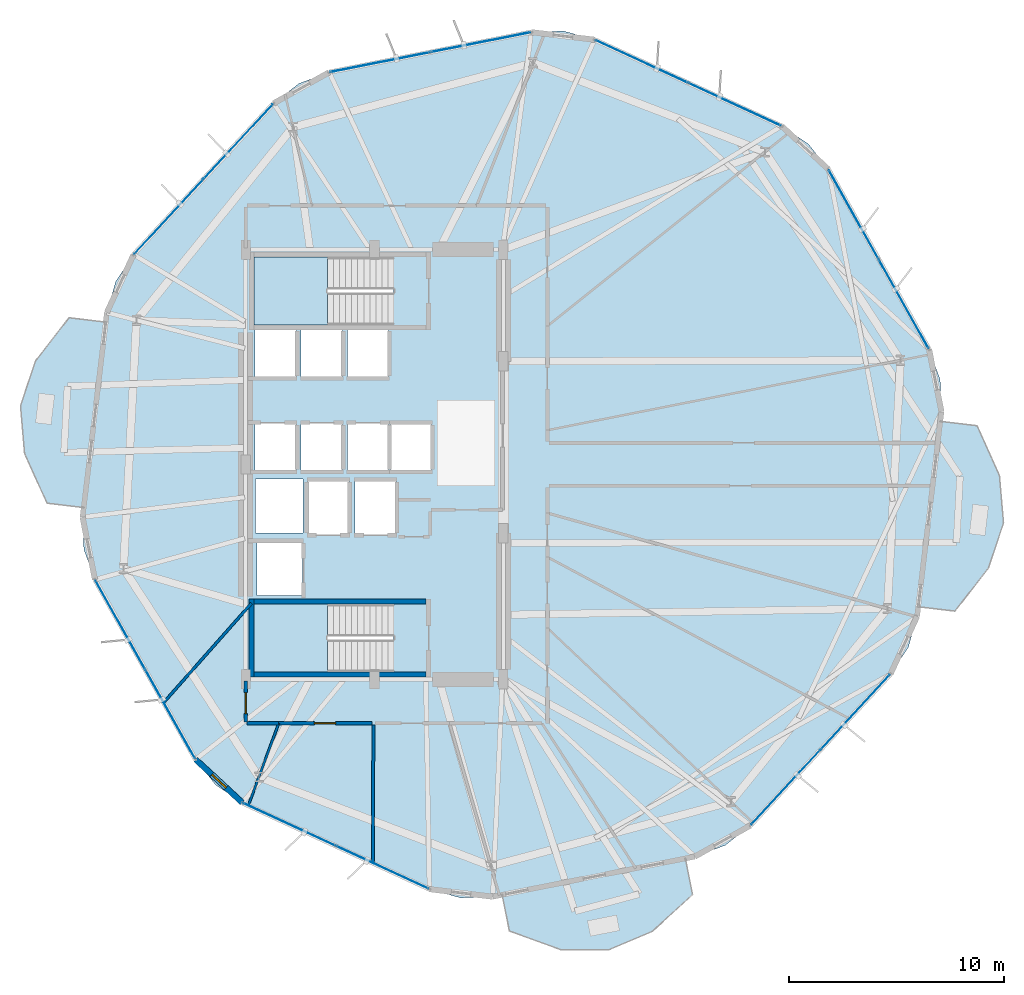
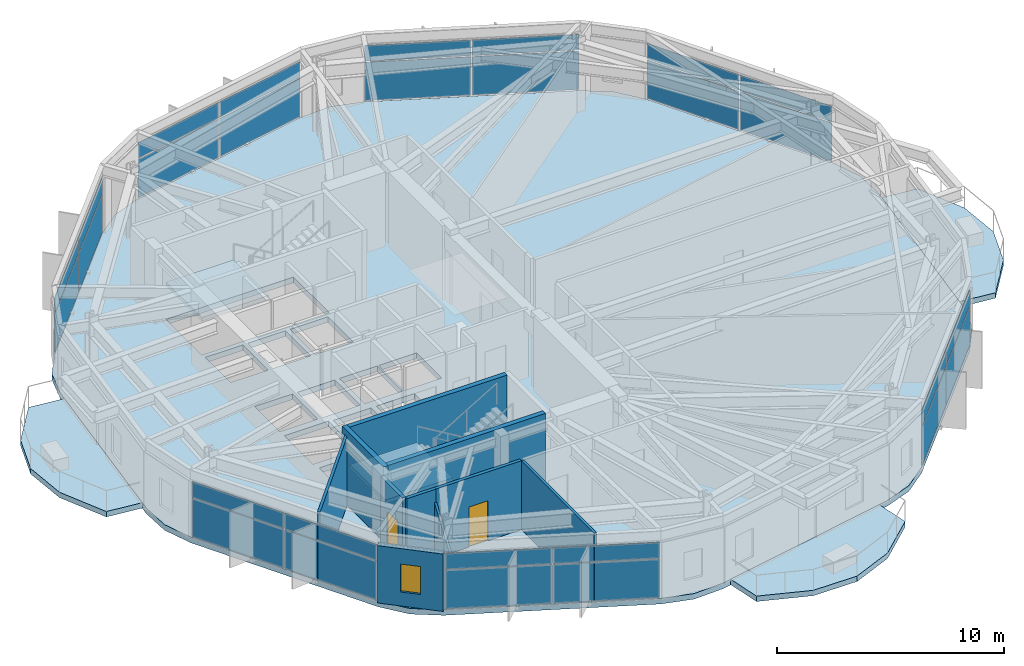
# One storey, part 16 of 22: 28 plates, 10 walls, 6 slabs, 2 doors, 1 window, 3 openings, 9 elements without a shape of their own.
"""IFC4 building model written with IfcOpenShell, lengths in metres."""

from ifc_helpers import new_model, si_unit, direction, frame, frame_2d, origin, origin_2d, place, context, subcontext, project, spatial, polyline, rectangle, outline, extrude, material, layer, layer_set, type_object, element, fill, aggregate, save


model = new_model("IFC4")

# Units and contexts
model_context = context("Model", 3, precision=1e-05, world=origin(), true_north=direction((0.0, 1.0)))
body_context = subcontext(model_context, "Body", "Model", "MODEL_VIEW")
ifc_project = project(units=[si_unit("LENGTHUNIT", "METRE"), si_unit("AREAUNIT", "SQUARE_METRE"), si_unit("VOLUMEUNIT", "CUBIC_METRE"), si_unit("PLANEANGLEUNIT", "RADIAN"), si_unit("MASSUNIT", "GRAM", prefix="KILO")], contexts=[model_context])

# Site, building, storey
site_placement = place(None, origin())
site = spatial("IfcSite", under=ifc_project, at=site_placement, CompositionType="ELEMENT")
building_placement = place(site_placement, origin())
building = spatial("IfcBuilding", under=site, at=building_placement, Name="Soratama Intermodal Tower", CompositionType="ELEMENT")
storey_placement = place(building_placement, frame((0.0, 0.0, 70.60009765625)))
storey = spatial("IfcBuildingStorey", under=building, at=storey_placement, Name="L16", CompositionType="ELEMENT", Elevation=70.60009765625)

# Curtain wall, plates
ifc_material_1 = material(Name="Double-glazed aluminium curtain wall", Category="aluminium")
ifc_layer_1 = layer(ifc_material_1, 0.159912109375)
ifc_layer_set_1 = layer_set([ifc_layer_1], Name="Double-glazed aluminium curtain wall")
curtain_wall_type = type_object("IfcCurtainWallType", Name="CW-SYS-2", PredefinedType="NOTDEFINED", material=ifc_layer_set_1)
curtain_wall_1_placement = place(storey_placement, origin())
curtain_wall_1 = element("IfcCurtainWall", 1, at=curtain_wall_1_placement, inside=storey, type_object=curtain_wall_type, Name="L16 Faceted Curtain Wall F01", PredefinedType="NOTDEFINED")
ifc_material_2 = material(Name="Low-E laminated double glazing", Category="glass")
ifc_layer_2 = layer(ifc_material_2, 0.031982421875)
ifc_layer_set_2 = layer_set([ifc_layer_2], Name="Low-E laminated double glazing")
plate_type = type_object("IfcPlateType", Name="PT-CWP-2", PredefinedType="CURTAIN_PANEL", material=ifc_layer_set_2)
plate_1_placement = place(storey_placement, frame((63.2314453125, 32.4677734375, 0.059814453125), z_axis=(0.0, 0.0, 1.0), x_axis=(-0.488157169978, 0.872755737534, 0.0)))
plate_1 = element("IfcPlate", 2, at=plate_1_placement, type_object=plate_type, Name="CW-2 panel 1.1", PredefinedType="CURTAIN_PANEL", context=body_context, shape_type="SweptSolid", body=[
    extrude(rectangle(XDim=4.704833984375, YDim=0.028076171875, at=origin_2d()), origin(), (0.0, 0.0, 1.0), 2.06005859375),
])
plate_2_placement = place(storey_placement, frame((63.2314453125, 32.4677734375, 2.1796875), z_axis=(0.0, 0.0, 1.0), x_axis=(-0.488157169978, 0.872755737534, 0.0)))
plate_2 = element("IfcPlate", 3, at=plate_2_placement, type_object=plate_type, Name="CW-2 panel 1.2", PredefinedType="CURTAIN_PANEL", context=body_context, shape_type="SweptSolid", body=[
    extrude(rectangle(XDim=4.704833984375, YDim=0.028076171875, at=origin_2d()), origin(), (0.0, 0.0, 1.0), 0.839111328125),
])
plate_3_placement = place(storey_placement, frame((60.905517578125, 36.626220703125, 0.059814453125), z_axis=(0.0, 0.0, 1.0), x_axis=(-0.488157169978, 0.872755737534, 0.0)))
plate_3 = element("IfcPlate", 4, at=plate_3_placement, type_object=plate_type, Name="CW-2 panel 2.1", PredefinedType="CURTAIN_PANEL", context=body_context, shape_type="SweptSolid", body=[
    extrude(rectangle(XDim=4.704833984375, YDim=0.028076171875, at=origin_2d()), origin(), (0.0, 0.0, 1.0), 2.06005859375),
])
plate_4_placement = place(storey_placement, frame((60.905517578125, 36.626220703125, 2.1796875), z_axis=(0.0, 0.0, 1.0), x_axis=(-0.488157169978, 0.872755737534, 0.0)))
plate_4 = element("IfcPlate", 5, at=plate_4_placement, type_object=plate_type, Name="CW-2 panel 2.2", PredefinedType="CURTAIN_PANEL", context=body_context, shape_type="SweptSolid", body=[
    extrude(rectangle(XDim=4.704833984375, YDim=0.028076171875, at=origin_2d()), origin(), (0.0, 0.0, 1.0), 0.839111328125),
])
aggregate(curtain_wall_1, [plate_1, plate_2, plate_3, plate_4])

curtain_wall_2_placement = place(storey_placement, origin())
curtain_wall_2 = element("IfcCurtainWall", 6, at=curtain_wall_2_placement, inside=storey, type_object=curtain_wall_type, Name="L16 Faceted Curtain Wall F02", PredefinedType="NOTDEFINED")
plate_5_placement = place(storey_placement, frame((55.360107421875, 41.7578125, 0.059814453125), z_axis=(0.0, 0.0, 1.0), x_axis=(-0.907922756343, 0.419137529357, 0.0)))
plate_5 = element("IfcPlate", 7, at=plate_5_placement, type_object=plate_type, Name="CW-2 panel 1.1", PredefinedType="CURTAIN_PANEL", context=body_context, shape_type="SweptSolid", body=[
    extrude(rectangle(XDim=4.704833984375, YDim=0.028076171875, at=origin_2d()), origin(), (0.0, 0.0, 1.0), 2.06005859375),
])
plate_6_placement = place(storey_placement, frame((55.360107421875, 41.7578125, 2.1796875), z_axis=(0.0, 0.0, 1.0), x_axis=(-0.907922756343, 0.419137529357, 0.0)))
plate_6 = element("IfcPlate", 8, at=plate_6_placement, type_object=plate_type, Name="CW-2 panel 1.2", PredefinedType="CURTAIN_PANEL", context=body_context, shape_type="SweptSolid", body=[
    extrude(rectangle(XDim=4.704833984375, YDim=0.028076171875, at=origin_2d()), origin(), (0.0, 0.0, 1.0), 0.839111328125),
])
plate_7_placement = place(storey_placement, frame((51.033935546875, 43.7548828125, 0.059814453125), z_axis=(0.0, 0.0, 1.0), x_axis=(-0.907922756343, 0.419137529357, 0.0)))
plate_7 = element("IfcPlate", 9, at=plate_7_placement, type_object=plate_type, Name="CW-2 panel 2.1", PredefinedType="CURTAIN_PANEL", context=body_context, shape_type="SweptSolid", body=[
    extrude(rectangle(XDim=4.704833984375, YDim=0.028076171875, at=origin_2d()), origin(), (0.0, 0.0, 1.0), 2.06005859375),
])
plate_8_placement = place(storey_placement, frame((51.033935546875, 43.7548828125, 2.1796875), z_axis=(0.0, 0.0, 1.0), x_axis=(-0.907922756343, 0.419137529357, 0.0)))
plate_8 = element("IfcPlate", 10, at=plate_8_placement, type_object=plate_type, Name="CW-2 panel 2.2", PredefinedType="CURTAIN_PANEL", context=body_context, shape_type="SweptSolid", body=[
    extrude(rectangle(XDim=4.704833984375, YDim=0.028076171875, at=origin_2d()), origin(), (0.0, 0.0, 1.0), 0.839111328125),
])
aggregate(curtain_wall_2, [plate_5, plate_6, plate_7, plate_8])

curtain_wall_3_placement = place(storey_placement, origin())
curtain_wall_3 = element("IfcCurtainWall", 11, at=curtain_wall_3_placement, inside=storey, type_object=curtain_wall_type, Name="L16 Faceted Curtain Wall F03", PredefinedType="NOTDEFINED")
plate_9_placement = place(storey_placement, frame((43.531494140625, 44.646728515625, 0.059814453125), z_axis=(0.0, 0.0, 1.0), x_axis=(-0.980888282391, -0.194571779732, 0.0)))
plate_9 = element("IfcPlate", 12, at=plate_9_placement, type_object=plate_type, Name="CW-2 panel 1.1", PredefinedType="CURTAIN_PANEL", context=body_context, shape_type="SweptSolid", body=[
    extrude(rectangle(XDim=4.704833984375, YDim=0.028076171875, at=origin_2d()), origin(), (0.0, 0.0, 1.0), 2.06005859375),
])
plate_10_placement = place(storey_placement, frame((43.531494140625, 44.646728515625, 2.1796875), z_axis=(0.0, 0.0, 1.0), x_axis=(-0.980888282391, -0.194571779732, 0.0)))
plate_10 = element("IfcPlate", 13, at=plate_10_placement, type_object=plate_type, Name="CW-2 panel 1.2", PredefinedType="CURTAIN_PANEL", context=body_context, shape_type="SweptSolid", body=[
    extrude(rectangle(XDim=4.704833984375, YDim=0.028076171875, at=origin_2d()), origin(), (0.0, 0.0, 1.0), 0.839111328125),
])
plate_11_placement = place(storey_placement, frame((38.857666015625, 43.7197265625, 0.059814453125), z_axis=(0.0, 0.0, 1.0), x_axis=(-0.980888282391, -0.194571779732, 0.0)))
plate_11 = element("IfcPlate", 14, at=plate_11_placement, type_object=plate_type, Name="CW-2 panel 2.1", PredefinedType="CURTAIN_PANEL", context=body_context, shape_type="SweptSolid", body=[
    extrude(rectangle(XDim=4.704833984375, YDim=0.028076171875, at=origin_2d()), origin(), (0.0, 0.0, 1.0), 2.06005859375),
])
plate_12_placement = place(storey_placement, frame((38.857666015625, 43.7197265625, 2.1796875), z_axis=(0.0, 0.0, 1.0), x_axis=(-0.980888282391, -0.194571779732, 0.0)))
plate_12 = element("IfcPlate", 15, at=plate_12_placement, type_object=plate_type, Name="CW-2 panel 2.2", PredefinedType="CURTAIN_PANEL", context=body_context, shape_type="SweptSolid", body=[
    extrude(rectangle(XDim=4.704833984375, YDim=0.028076171875, at=origin_2d()), origin(), (0.0, 0.0, 1.0), 0.839111328125),
])
aggregate(curtain_wall_3, [plate_9, plate_10, plate_11, plate_12])

curtain_wall_4_placement = place(storey_placement, origin())
curtain_wall_4 = element("IfcCurtainWall", 16, at=curtain_wall_4_placement, inside=storey, type_object=curtain_wall_type, Name="L16 Faceted Curtain Wall F04", PredefinedType="NOTDEFINED")
plate_13_placement = place(storey_placement, frame((32.263916015625, 40.031494140625, 0.059814453125), z_axis=(0.0, 0.0, 1.0), x_axis=(-0.679187375305, -0.733964923703, 0.0)))
plate_13 = element("IfcPlate", 17, at=plate_13_placement, type_object=plate_type, Name="CW-2 panel 1.1", PredefinedType="CURTAIN_PANEL", context=body_context, shape_type="SweptSolid", body=[
    extrude(rectangle(XDim=4.704833984375, YDim=0.028076171875, at=origin_2d()), origin(), (0.0, 0.0, 1.0), 2.06005859375),
])
plate_14_placement = place(storey_placement, frame((32.263916015625, 40.031494140625, 2.1796875), z_axis=(0.0, 0.0, 1.0), x_axis=(-0.679187375305, -0.733964923703, 0.0)))
plate_14 = element("IfcPlate", 18, at=plate_14_placement, type_object=plate_type, Name="CW-2 panel 1.2", PredefinedType="CURTAIN_PANEL", context=body_context, shape_type="SweptSolid", body=[
    extrude(rectangle(XDim=4.704833984375, YDim=0.028076171875, at=origin_2d()), origin(), (0.0, 0.0, 1.0), 0.839111328125),
])
plate_15_placement = place(storey_placement, frame((29.027587890625, 36.5341796875, 0.059814453125), z_axis=(0.0, 0.0, 1.0), x_axis=(-0.679187375305, -0.733964923703, 0.0)))
plate_15 = element("IfcPlate", 19, at=plate_15_placement, type_object=plate_type, Name="CW-2 panel 2.1", PredefinedType="CURTAIN_PANEL", context=body_context, shape_type="SweptSolid", body=[
    extrude(rectangle(XDim=4.704833984375, YDim=0.028076171875, at=origin_2d()), origin(), (0.0, 0.0, 1.0), 2.06005859375),
])
plate_16_placement = place(storey_placement, frame((29.027587890625, 36.5341796875, 2.1796875), z_axis=(0.0, 0.0, 1.0), x_axis=(-0.679187375305, -0.733964923703, 0.0)))
plate_16 = element("IfcPlate", 20, at=plate_16_placement, type_object=plate_type, Name="CW-2 panel 2.2", PredefinedType="CURTAIN_PANEL", context=body_context, shape_type="SweptSolid", body=[
    extrude(rectangle(XDim=4.704833984375, YDim=0.028076171875, at=origin_2d()), origin(), (0.0, 0.0, 1.0), 0.839111328125),
])
aggregate(curtain_wall_4, [plate_13, plate_14, plate_15, plate_16])

curtain_wall_5_placement = place(storey_placement, origin())
curtain_wall_5 = element("IfcCurtainWall", 21, at=curtain_wall_5_placement, inside=storey, type_object=curtain_wall_type, Name="L16 Faceted Curtain Wall F06", PredefinedType="NOTDEFINED")
plate_17_placement = place(storey_placement, frame((26.7685546875, 17.5322265625, 0.059814453125), z_axis=(0.0, 0.0, 1.0), x_axis=(0.488157169978, -0.872755737534, 0.0)))
plate_17 = element("IfcPlate", 22, at=plate_17_placement, type_object=plate_type, Name="CW-2 panel 1.1", PredefinedType="CURTAIN_PANEL", context=body_context, shape_type="SweptSolid", body=[
    extrude(rectangle(XDim=4.704833984375, YDim=0.028076171875, at=origin_2d()), origin(), (0.0, 0.0, 1.0), 2.06005859375),
])
plate_18_placement = place(storey_placement, frame((26.7685546875, 17.5322265625, 2.1796875), z_axis=(0.0, 0.0, 1.0), x_axis=(0.488157169978, -0.872755737534, 0.0)))
plate_18 = element("IfcPlate", 23, at=plate_18_placement, type_object=plate_type, Name="CW-2 panel 1.2", PredefinedType="CURTAIN_PANEL", context=body_context, shape_type="SweptSolid", body=[
    extrude(rectangle(XDim=4.704833984375, YDim=0.028076171875, at=origin_2d()), origin(), (0.0, 0.0, 1.0), 0.839111328125),
])
plate_19_placement = place(storey_placement, frame((29.094482421875, 13.373779296875, 0.059814453125), z_axis=(0.0, 0.0, 1.0), x_axis=(0.488157169978, -0.872755737534, 0.0)))
plate_19 = element("IfcPlate", 24, at=plate_19_placement, type_object=plate_type, Name="CW-2 panel 2.1", PredefinedType="CURTAIN_PANEL", context=body_context, shape_type="SweptSolid", body=[
    extrude(rectangle(XDim=4.704833984375, YDim=0.028076171875, at=origin_2d()), origin(), (0.0, 0.0, 1.0), 2.06005859375),
])
plate_20_placement = place(storey_placement, frame((29.094482421875, 13.373779296875, 2.1796875), z_axis=(0.0, 0.0, 1.0), x_axis=(0.488157169978, -0.872755737534, 0.0)))
plate_20 = element("IfcPlate", 25, at=plate_20_placement, type_object=plate_type, Name="CW-2 panel 2.2", PredefinedType="CURTAIN_PANEL", context=body_context, shape_type="SweptSolid", body=[
    extrude(rectangle(XDim=4.704833984375, YDim=0.028076171875, at=origin_2d()), origin(), (0.0, 0.0, 1.0), 0.839111328125),
])
aggregate(curtain_wall_5, [plate_17, plate_18, plate_19, plate_20])

curtain_wall_6_placement = place(storey_placement, origin())
curtain_wall_6 = element("IfcCurtainWall", 26, at=curtain_wall_6_placement, inside=storey, type_object=curtain_wall_type, Name="L16 Faceted Curtain Wall F07", PredefinedType="NOTDEFINED")
plate_21_placement = place(storey_placement, frame((34.639892578125, 8.2421875, 0.059814453125), z_axis=(0.0, 0.0, 1.0), x_axis=(0.907922756343, -0.419137529357, 0.0)))
plate_21 = element("IfcPlate", 27, at=plate_21_placement, type_object=plate_type, Name="CW-2 panel 1.1", PredefinedType="CURTAIN_PANEL", context=body_context, shape_type="SweptSolid", body=[
    extrude(rectangle(XDim=4.704833984375, YDim=0.028076171875, at=origin_2d()), origin(), (0.0, 0.0, 1.0), 2.06005859375),
])
plate_22_placement = place(storey_placement, frame((34.639892578125, 8.2421875, 2.1796875), z_axis=(0.0, 0.0, 1.0), x_axis=(0.907922756343, -0.419137529357, 0.0)))
plate_22 = element("IfcPlate", 28, at=plate_22_placement, type_object=plate_type, Name="CW-2 panel 1.2", PredefinedType="CURTAIN_PANEL", context=body_context, shape_type="SweptSolid", body=[
    extrude(rectangle(XDim=4.704833984375, YDim=0.028076171875, at=origin_2d()), origin(), (0.0, 0.0, 1.0), 0.839111328125),
])
plate_23_placement = place(storey_placement, frame((38.966064453125, 6.2451171875, 0.059814453125), z_axis=(0.0, 0.0, 1.0), x_axis=(0.907922756343, -0.419137529357, 0.0)))
plate_23 = element("IfcPlate", 29, at=plate_23_placement, type_object=plate_type, Name="CW-2 panel 2.1", PredefinedType="CURTAIN_PANEL", context=body_context, shape_type="SweptSolid", body=[
    extrude(rectangle(XDim=4.704833984375, YDim=0.028076171875, at=origin_2d()), origin(), (0.0, 0.0, 1.0), 2.06005859375),
])
plate_24_placement = place(storey_placement, frame((38.966064453125, 6.2451171875, 2.1796875), z_axis=(0.0, 0.0, 1.0), x_axis=(0.907922756343, -0.419137529357, 0.0)))
plate_24 = element("IfcPlate", 30, at=plate_24_placement, type_object=plate_type, Name="CW-2 panel 2.2", PredefinedType="CURTAIN_PANEL", context=body_context, shape_type="SweptSolid", body=[
    extrude(rectangle(XDim=4.704833984375, YDim=0.028076171875, at=origin_2d()), origin(), (0.0, 0.0, 1.0), 0.839111328125),
])
aggregate(curtain_wall_6, [plate_21, plate_22, plate_23, plate_24])

curtain_wall_7_placement = place(storey_placement, origin())
curtain_wall_7 = element("IfcCurtainWall", 31, at=curtain_wall_7_placement, inside=storey, type_object=curtain_wall_type, Name="L16 Faceted Curtain Wall F09", PredefinedType="NOTDEFINED")
plate_25_placement = place(storey_placement, frame((57.736083984375, 9.968505859375, 0.059814453125), z_axis=(0.0, 0.0, 1.0), x_axis=(0.679187375305, 0.733964923703, 0.0)))
plate_25 = element("IfcPlate", 32, at=plate_25_placement, type_object=plate_type, Name="CW-2 panel 1.1", PredefinedType="CURTAIN_PANEL", context=body_context, shape_type="SweptSolid", body=[
    extrude(rectangle(XDim=4.704833984375, YDim=0.028076171875, at=origin_2d()), origin(), (0.0, 0.0, 1.0), 2.06005859375),
])
plate_26_placement = place(storey_placement, frame((57.736083984375, 9.968505859375, 2.1796875), z_axis=(0.0, 0.0, 1.0), x_axis=(0.679187375305, 0.733964923703, 0.0)))
plate_26 = element("IfcPlate", 33, at=plate_26_placement, type_object=plate_type, Name="CW-2 panel 1.2", PredefinedType="CURTAIN_PANEL", context=body_context, shape_type="SweptSolid", body=[
    extrude(rectangle(XDim=4.704833984375, YDim=0.028076171875, at=origin_2d()), origin(), (0.0, 0.0, 1.0), 0.839111328125),
])
plate_27_placement = place(storey_placement, frame((60.972412109375, 13.4658203125, 0.059814453125), z_axis=(0.0, 0.0, 1.0), x_axis=(0.679187375305, 0.733964923703, 0.0)))
plate_27 = element("IfcPlate", 34, at=plate_27_placement, type_object=plate_type, Name="CW-2 panel 2.1", PredefinedType="CURTAIN_PANEL", context=body_context, shape_type="SweptSolid", body=[
    extrude(rectangle(XDim=4.704833984375, YDim=0.028076171875, at=origin_2d()), origin(), (0.0, 0.0, 1.0), 2.06005859375),
])
plate_28_placement = place(storey_placement, frame((60.972412109375, 13.4658203125, 2.1796875), z_axis=(0.0, 0.0, 1.0), x_axis=(0.679187375305, 0.733964923703, 0.0)))
plate_28 = element("IfcPlate", 35, at=plate_28_placement, type_object=plate_type, Name="CW-2 panel 2.2", PredefinedType="CURTAIN_PANEL", context=body_context, shape_type="SweptSolid", body=[
    extrude(rectangle(XDim=4.704833984375, YDim=0.028076171875, at=origin_2d()), origin(), (0.0, 0.0, 1.0), 0.839111328125),
])
aggregate(curtain_wall_7, [plate_25, plate_26, plate_27, plate_28])

# Slabs
ifc_material_3 = material(Name="Concrete f'c 42 MPa", Category="concrete")
ifc_layer_3 = layer(ifc_material_3, 0.2900390625)
ifc_layer_set_3 = layer_set([ifc_layer_3], Name="Concrete f'c 42 MPa")
slab_type_1 = type_object("IfcSlabType", Name="SL-EXT-BAL2", PredefinedType="FLOOR", material=ifc_layer_set_3)
slab_1_placement = place(storey_placement, frame((0.0, 0.0, -0.2900390625)))
element("IfcSlab", 36, at=slab_1_placement, inside=storey, type_object=slab_type_1, Name="L16 Planted Balcony East 1", PredefinedType="FLOOR", context=body_context, shape_type="SweptSolid", body=[
    extrude(outline(polyline([(63.9072265625, 18.376708984375), (64.933349609375, 27.005615234375), (66.64111328125, 26.802490234375), (67.6865234375, 24.490478515625), (67.8759765625, 22.2802734375), (67.173583984375, 20.176025390625), (65.615234375, 18.173583984375), (63.9072265625, 18.376708984375)])), origin(), (0.0, 0.0, 1.0), 0.2900390625),
])
slab_2_placement = place(storey_placement, frame((0.0, 0.0, -0.2900390625)))
element("IfcSlab", 37, at=slab_2_placement, inside=storey, type_object=slab_type_1, Name="L16 Planted Balcony West 2", PredefinedType="FLOOR", context=body_context, shape_type="SweptSolid", body=[
    extrude(outline(polyline([(26.0927734375, 31.623291015625), (25.066650390625, 22.994384765625), (23.35888671875, 23.197509765625), (22.3134765625, 25.509521484375), (22.1240234375, 27.7197265625), (22.826416015625, 29.823974609375), (24.384765625, 31.826416015625), (26.0927734375, 31.623291015625)])), origin(), (0.0, 0.0, 1.0), 0.2900390625),
])
slab_3_placement = place(storey_placement, frame((0.0, 0.0, -0.2900390625)))
element("IfcSlab", 38, at=slab_3_placement, inside=storey, type_object=slab_type_1, Name="L16 Planted Balcony South 3", PredefinedType="FLOOR", context=body_context, shape_type="SweptSolid", body=[
    extrude(outline(polyline([(44.54345703125, 4.971435546875), (53.067138671875, 6.662109375), (53.40185546875, 4.97509765625), (51.52587890625, 3.2666015625), (49.482421875, 2.4033203125), (47.26416015625, 2.421142578125), (44.878173828125, 3.2841796875), (44.54345703125, 4.971435546875)])), origin(), (0.0, 0.0, 1.0), 0.2900390625),
])

# Stair, slab
ifc_material_4 = material(Name="Concrete f'c 42 MPa", Category="concrete")
stair_type = type_object("IfcStairType", Name="ST-CORE-DOGLEG", PredefinedType="HALF_TURN_STAIR", material=ifc_material_4)
stair_1_placement = place(storey_placement, origin())
stair_1 = element("IfcStair", 39, at=stair_1_placement, inside=storey, type_object=stair_type, Name="L16 ST-1", PredefinedType="HALF_TURN_STAIR")
ifc_material_5 = material(Name="Concrete f'c 42 MPa", Category="concrete")
ifc_layer_4 = layer(ifc_material_5, 0.219970703125)
ifc_layer_set_4 = layer_set([ifc_layer_4], Name="Concrete f'c 42 MPa")
slab_type_2 = type_object("IfcSlabType", Name="SL-STAIR-LAND", PredefinedType="LANDING", material=ifc_layer_set_4)
slab_4_placement = place(storey_placement, frame((0.0, 0.0, 1.7998046875)))
slab_4 = element("IfcSlab", 40, at=slab_4_placement, type_object=slab_type_2, Name="ST-1 landing 1", PredefinedType="LANDING", context=body_context, shape_type="SweptSolid", body=[
    extrude(outline(polyline([(36.419921875, 18.5), (33.0, 18.5), (33.0, 15.35009765625), (36.419921875, 15.35009765625), (36.419921875, 18.5)])), origin(), (0.0, 0.0, 1.0), 0.2001953125),
])
aggregate(stair_1, [slab_4])

stair_2_placement = place(storey_placement, origin())
stair_2 = element("IfcStair", 41, at=stair_2_placement, inside=storey, type_object=stair_type, Name="L16 ST-2", PredefinedType="HALF_TURN_STAIR")
slab_5_placement = place(storey_placement, frame((0.0, 0.0, 1.7998046875)))
slab_5 = element("IfcSlab", 42, at=slab_5_placement, type_object=slab_type_2, Name="ST-2 landing 1", PredefinedType="LANDING", context=body_context, shape_type="SweptSolid", body=[
    extrude(outline(polyline([(36.419921875, 34.64990234375), (33.0, 34.64990234375), (33.0, 31.5), (36.419921875, 31.5), (36.419921875, 34.64990234375)])), origin(), (0.0, 0.0, 1.0), 0.2001953125),
])
aggregate(stair_2, [slab_5])

# Slab
ifc_material_6 = material(Name="Concrete f'c 42 MPa", Category="concrete")
ifc_layer_5 = layer(ifc_material_6, 0.280029296875)
ifc_layer_set_5 = layer_set([ifc_layer_5], Name="Concrete f'c 42 MPa")
slab_type_3 = type_object("IfcSlabType", Name="SL-TWR-280", PredefinedType="FLOOR", material=ifc_layer_set_5)
slab_6_placement = place(storey_placement, frame((0.0, 0.0, -0.300048828125)))
element("IfcSlab", 43, at=slab_6_placement, inside=storey, type_object=slab_type_3, Name="L16 Structural Floor Slab", PredefinedType="FLOOR", context=body_context, shape_type="SweptSolid", body=[
    extrude(outline(polyline([(64.986328125, 27.452392578125), (64.92822265625, 28.953125), (64.4091796875, 30.3623046875), (59.727783203125, 38.731689453125), (58.798583984375, 39.91162109375), (57.55029296875, 40.74658203125), (48.84375, 44.76611328125), (47.3984375, 45.17431640625), (45.89794921875, 45.1162109375), (36.491455078125, 43.250244140625), (35.082275390625, 42.731201171875), (33.90234375, 41.802001953125), (27.38916015625, 34.763671875), (26.55419921875, 33.515380859375), (26.145751953125, 32.0703125), (25.013671875, 22.547607421875), (25.07177734375, 21.046875), (25.5908203125, 19.6376953125), (30.272216796875, 11.268310546875), (31.201416015625, 10.08837890625), (32.44970703125, 9.25341796875), (41.15625, 5.23388671875), (42.6015625, 4.82568359375), (44.10205078125, 4.8837890625), (53.508544921875, 6.749755859375), (54.917724609375, 7.268798828125), (56.09765625, 8.197998046875), (62.61083984375, 15.236328125), (63.44580078125, 16.484619140625), (63.854248046875, 17.9296875), (64.986328125, 27.452392578125)]), holes=[polyline([(33.0, 18.5), (33.0, 15.35009765625), (39.47509765625, 15.35009765625), (39.47509765625, 18.5), (33.0, 18.5)]), polyline([(35.260009765625, 18.889892578125), (35.260009765625, 21.409912109375), (33.139892578125, 21.409912109375), (33.139892578125, 18.889892578125), (35.260009765625, 18.889892578125)]), polyline([(33.050048828125, 21.800048828125), (35.280029296875, 21.800048828125), (35.280029296875, 24.320068359375), (33.050048828125, 24.320068359375), (33.050048828125, 21.800048828125)]), polyline([(34.9599609375, 26.909912109375), (33.0400390625, 26.909912109375), (33.0400390625, 24.68994140625), (34.9599609375, 24.68994140625), (34.9599609375, 26.909912109375)]), polyline([(37.110107421875, 24.68994140625), (37.110107421875, 26.909912109375), (35.18994140625, 26.909912109375), (35.18994140625, 24.68994140625), (37.110107421875, 24.68994140625)]), polyline([(34.9599609375, 29.0400390625), (34.9599609375, 31.260009765625), (33.0400390625, 31.260009765625), (33.0400390625, 29.0400390625), (34.9599609375, 29.0400390625)]), polyline([(37.110107421875, 31.260009765625), (35.18994140625, 31.260009765625), (35.18994140625, 29.0400390625), (37.110107421875, 29.0400390625), (37.110107421875, 31.260009765625)]), polyline([(37.409912109375, 21.739990234375), (37.409912109375, 24.260009765625), (35.489990234375, 24.260009765625), (35.489990234375, 21.739990234375), (37.409912109375, 21.739990234375)]), polyline([(39.610107421875, 21.739990234375), (39.610107421875, 24.260009765625), (37.68994140625, 24.260009765625), (37.68994140625, 21.739990234375), (39.610107421875, 21.739990234375)]), polyline([(39.260009765625, 24.68994140625), (39.260009765625, 26.909912109375), (37.340087890625, 26.909912109375), (37.340087890625, 24.68994140625), (39.260009765625, 24.68994140625)]), polyline([(41.260009765625, 24.68994140625), (41.260009765625, 26.909912109375), (39.340087890625, 26.909912109375), (39.340087890625, 24.68994140625), (41.260009765625, 24.68994140625)]), polyline([(39.260009765625, 29.0400390625), (39.260009765625, 31.260009765625), (37.340087890625, 31.260009765625), (37.340087890625, 29.0400390625), (39.260009765625, 29.0400390625)]), polyline([(39.47509765625, 34.64990234375), (33.0, 34.64990234375), (33.0, 31.5), (39.47509765625, 31.5), (39.47509765625, 34.64990234375)])]), origin(), (0.0, 0.0, 1.0), 0.300048828125),
])

# Wall, opening, window
ifc_material_7 = material(Name="Concrete f'c 42 MPa", Category="concrete")
ifc_layer_6 = layer(ifc_material_7, 0.27001953125)
ifc_layer_set_6 = layer_set([ifc_layer_6], Name="Concrete f'c 42 MPa")
wall_type_1 = type_object("IfcWallType", Name="EW-CRN-270", PredefinedType="SOLIDWALL", material=ifc_layer_set_6)
wall_1_placement = place(storey_placement, frame((30.272216796875, 11.268310546875, 0.0), z_axis=(0.0, 0.0, 1.0), x_axis=(0.733979438108, -0.679171689954, 0.0)))
wall_1 = element("IfcWall", 44, at=wall_1_placement, inside=storey, type_object=wall_type_1, Name="L16 Corner Closure Wall 06", PredefinedType="SOLIDWALL", context=body_context, shape_type="SweptSolid", body=[
    extrude(rectangle(XDim=2.966796875, YDim=0.27001953125, at=frame_2d((1.4833984375, 0.0))), origin(), (0.0, 0.0, 1.0), 3.078857421875),
])
opening_1_placement = place(wall_1_placement, frame((1.033203125, 0.0, 0.75)))
opening_1 = element("IfcOpeningElement", 45, at=opening_1_placement, cuts=wall_1, Name="Opening WN-6", PredefinedType="OPENING", context=body_context, shape_type="SweptSolid", body=[
    extrude(rectangle(XDim=0.89990234375, YDim=1.5, at=frame_2d((0.449951171875, 0.75))), frame((0.0, 0.14501953125, 0.0), z_axis=(0.0, -1.0, 0.0), x_axis=(1.0, 0.0, 0.0)), (0.0, 0.0, 1.0), 0.2900390625),
])
ifc_material_8 = material(Name="Double-glazed aluminium window", Category="aluminium")
window_type = type_object("IfcWindowType", Name="WN-FAC-900", PartitioningType="SINGLE_PANEL", PredefinedType="WINDOW", material=ifc_material_8)
window_placement = place(opening_1_placement, origin())
window = element("IfcWindow", 46, at=window_placement, inside=storey, type_object=window_type, Name="L16 Corner Window 06", OverallHeight=1.5, OverallWidth=0.89990234375, PartitioningType="SINGLE_PANEL", PredefinedType="WINDOW", context=body_context, shape_type="SweptSolid", body=[
    extrude(rectangle(XDim=0.89990234375, YDim=1.5, at=frame_2d((0.449951171875, 0.75))), frame((0.0, 0.030029296875, 0.0), z_axis=(0.0, -1.0, 0.0), x_axis=(1.0, 0.0, 0.0)), (0.0, 0.0, 1.0), 0.06005859375),
])
fill(opening_1, window)

# Wall, opening, door
ifc_material_9 = material(Name="Fire-rated gypsum stud partition", Category="concrete")
ifc_layer_7 = layer(ifc_material_9, 0.169921875)
ifc_layer_set_7 = layer_set([ifc_layer_7], Name="Fire-rated gypsum stud partition")
wall_type_2 = type_object("IfcWallType", Name="IW-PART-R170", PredefinedType="PARTITIONING", material=ifc_layer_set_7)
wall_2_placement = place(storey_placement, frame((38.47900390625, 12.949951171875, 0.0), z_axis=(0.0, 0.0, 1.0), x_axis=(-1.0, 0.0, 0.0)))
wall_2 = element("IfcWall", 47, at=wall_2_placement, inside=storey, type_object=wall_type_2, Name="L16 Partition W-L16-TP019", PredefinedType="PARTITIONING", context=body_context, shape_type="SweptSolid", body=[
    extrude(rectangle(XDim=4.3359375, YDim=0.169921875, at=frame_2d((2.16796875, 0.0))), origin(), (0.0, 0.0, 1.0), 3.699951171875),
])
opening_2_placement = place(wall_2_placement, frame((1.693115234375, 0.0, 0.0)))
opening_2 = element("IfcOpeningElement", 48, at=opening_2_placement, cuts=wall_2, Name="Opening ID-5", PredefinedType="OPENING", context=body_context, shape_type="SweptSolid", body=[
    extrude(rectangle(XDim=0.97998046875, YDim=2.14990234375, at=frame_2d((0.489990234375, 1.074951171875))), frame((0.0, 0.094970703125, 0.0), z_axis=(0.0, -1.0, 0.0), x_axis=(1.0, 0.0, 0.0)), (0.0, 0.0, 1.0), 0.18994140625),
])
ifc_material_10 = material(Name="Solid hardwood acoustic door", Category="wood")
door_type = type_object("IfcDoorType", Name="DR-OFF-980", OperationType="NOTDEFINED", PredefinedType="DOOR", material=ifc_material_10)
door_1_placement = place(opening_2_placement, origin())
door_1 = element("IfcDoor", 49, at=door_1_placement, inside=storey, type_object=door_type, Name="L16 Door D-L16-TP008", OperationType="SINGLE_SWING_LEFT", OverallHeight=2.14990234375, OverallWidth=0.97998046875, PredefinedType="DOOR", context=body_context, shape_type="SweptSolid", body=[
    extrude(rectangle(XDim=0.97998046875, YDim=2.14990234375, at=frame_2d((0.489990234375, 1.074951171875))), frame((0.0, 0.02490234375, 0.0), z_axis=(0.0, -1.0, 0.0), x_axis=(1.0, 0.0, 0.0)), (0.0, 0.0, 1.0), 0.050048828125),
])
fill(opening_2, door_1)

wall_3_placement = place(storey_placement, frame((32.60009765625, 13.02001953125, 0.0), z_axis=(0.0, 0.0, 1.0), x_axis=(0.0, 1.0, 0.0)))
wall_3 = element("IfcWall", 50, at=wall_3_placement, inside=storey, type_object=wall_type_2, Name="L16 Partition W-L16-TP028", PredefinedType="PARTITIONING", context=body_context, shape_type="SweptSolid", body=[
    extrude(rectangle(XDim=1.909912109375, YDim=0.169921875, at=frame_2d((0.955078125, 0.0))), origin(), (0.0, 0.0, 1.0), 3.699951171875),
])
opening_3_placement = place(wall_3_placement, frame((0.384033203125, 0.0, 0.0)))
opening_3 = element("IfcOpeningElement", 51, at=opening_3_placement, cuts=wall_3, Name="Opening ID-5", PredefinedType="OPENING", context=body_context, shape_type="SweptSolid", body=[
    extrude(rectangle(XDim=0.97998046875, YDim=2.14990234375, at=frame_2d((0.489990234375, 1.074951171875))), frame((0.0, 0.094970703125, 0.0), z_axis=(0.0, -1.0, 0.0), x_axis=(1.0, 0.0, 0.0)), (0.0, 0.0, 1.0), 0.18994140625),
])
door_2_placement = place(opening_3_placement, origin())
door_2 = element("IfcDoor", 52, at=door_2_placement, inside=storey, type_object=door_type, Name="L16 Door D-L16-TP015", OperationType="SINGLE_SWING_RIGHT", OverallHeight=2.14990234375, OverallWidth=0.97998046875, PredefinedType="DOOR", context=body_context, shape_type="SweptSolid", body=[
    extrude(rectangle(XDim=0.97998046875, YDim=2.14990234375, at=frame_2d((0.489990234375, 1.074951171875))), frame((0.0, 0.02490234375, 0.0), z_axis=(0.0, -1.0, 0.0), x_axis=(1.0, 0.0, 0.0)), (0.0, 0.0, 1.0), 0.050048828125),
])
fill(opening_3, door_2)

# Walls
wall_4_placement = place(storey_placement, frame((34.14306640625, 12.949951171875, 0.0), z_axis=(0.0, 0.0, 1.0), x_axis=(-1.0, 0.0, 0.0)))
element("IfcWall", 53, at=wall_4_placement, inside=storey, type_object=wall_type_2, Name="L16 Partition W-L16-TP030", PredefinedType="PARTITIONING", context=body_context, shape_type="SweptSolid", body=[
    extrude(rectangle(XDim=1.47314453125, YDim=0.169921875, at=frame_2d((0.736572265625, 0.0))), origin(), (0.0, 0.0, 1.0), 3.699951171875),
])
ifc_material_11 = material(Name="Fire-rated gypsum stud partition", Category="concrete")
ifc_layer_8 = layer(ifc_material_11, 0.110107421875)
ifc_layer_set_8 = layer_set([ifc_layer_8], Name="Fire-rated gypsum stud partition")
wall_type_3 = type_object("IfcWallType", Name="IW-PART-S110", PredefinedType="PARTITIONING", material=ifc_layer_set_8)
wall_5_placement = place(storey_placement, frame((34.14306640625, 12.949951171875, 0.0), z_axis=(0.0, 0.0, 1.0), x_axis=(-0.346967284167, -0.937877232754, 0.0)))
element("IfcWall", 54, at=wall_5_placement, inside=storey, type_object=wall_type_3, Name="L16 Partition W-L16-TP021", PredefinedType="PARTITIONING", context=body_context, shape_type="SweptSolid", body=[
    extrude(rectangle(XDim=4.078369140625, YDim=0.110107421875, at=frame_2d((2.0390625, 0.0))), origin(), (0.0, 0.0, 1.0), 2.994873046875),
])
ifc_material_12 = material(Name="Fire-rated gypsum stud partition", Category="concrete")
ifc_layer_9 = layer(ifc_material_12, 0.1298828125)
ifc_layer_set_9 = layer_set([ifc_layer_9], Name="Fire-rated gypsum stud partition")
wall_type_4 = type_object("IfcWallType", Name="IW-PART-S130", PredefinedType="PARTITIONING", material=ifc_layer_set_9)
wall_6_placement = place(storey_placement, frame((32.8798828125, 18.5400390625, 0.0), z_axis=(0.0, 0.0, 1.0), x_axis=(-0.66291868368, -0.74869140427, 0.0)))
element("IfcWall", 55, at=wall_6_placement, inside=storey, type_object=wall_type_4, Name="L16 Partition W-L16-TP014", PredefinedType="PARTITIONING", context=body_context, shape_type="SweptSolid", body=[
    extrude(rectangle(XDim=6.1708984375, YDim=0.1298828125, at=frame_2d((3.08544921875, 0.0))), origin(), (0.0, 0.0, 1.0), 3.699951171875),
])
ifc_material_13 = material(Name="Fire-rated gypsum stud partition", Category="concrete")
ifc_layer_10 = layer(ifc_material_13, 0.139892578125)
ifc_layer_set_10 = layer_set([ifc_layer_10], Name="Fire-rated gypsum stud partition")
wall_type_5 = type_object("IfcWallType", Name="IW-PART-S140", PredefinedType="PARTITIONING", material=ifc_layer_set_10)
wall_7_placement = place(storey_placement, frame((38.549072265625, 12.8798828125, 0.0), z_axis=(0.0, 0.0, 1.0), x_axis=(-0.004214565599, -0.999991118679, 0.0)))
element("IfcWall", 56, at=wall_7_placement, inside=storey, type_object=wall_type_5, Name="L16 Partition W-L16-TP013", PredefinedType="PARTITIONING", context=body_context, shape_type="SweptSolid", body=[
    extrude(rectangle(XDim=6.429931640625, YDim=0.139892578125, at=frame_2d((3.21484375, 0.0))), origin(), (0.0, 0.0, 1.0), 3.699951171875),
])
ifc_material_14 = material(Name="Concrete f'c 56 MPa", Category="concrete")
ifc_layer_11 = layer(ifc_material_14, 0.239990234375)
ifc_layer_set_11 = layer_set([ifc_layer_11], Name="Concrete f'c 56 MPa")
wall_type_6 = type_object("IfcWallType", Name="SW-STAIR-240", PredefinedType="SHEAR", material=ifc_layer_set_11)
wall_8_placement = place(storey_placement, frame((32.8798828125, 15.110107421875, 0.0), z_axis=(0.0, 0.0, 1.0), x_axis=(0.0, 1.0, 0.0)))
element("IfcWall", 57, at=wall_8_placement, inside=storey, type_object=wall_type_6, Name="L16 ST-1 Shaft Shear Wall W", PredefinedType="SHEAR", context=body_context, shape_type="SweptSolid", body=[
    extrude(rectangle(XDim=3.6298828125, YDim=0.239990234375, at=frame_2d((1.81494140625, 0.0))), origin(), (0.0, 0.0, 1.0), 4.0),
])
for number, where, z_axis, x_axis, name in (
    (58, (33.0, 15.22998046875, 0.0), (0.0, 0.0, 1.0), (1.0, 0.0, 0.0), "L16 ST-1 Shaft Shear Wall S"),
    (59, (33.0, 18.6201171875, 0.0), (0.0, 0.0, 1.0), (1.0, 0.0, 0.0), "L16 ST-1 Shaft Shear Wall N"),
):
    element("IfcWall", number, at=place(storey_placement, frame(where, z_axis=z_axis, x_axis=x_axis)), inside=storey, type_object=wall_type_6, Name=name, PredefinedType="SHEAR", context=body_context, shape_type="SweptSolid", body=[
        extrude(rectangle(XDim=8.0, YDim=0.239990234375, at=frame_2d((4.0, 0.0))), origin(), (0.0, 0.0, 1.0), 4.0),
    ])

save(model, "model.ifc")
